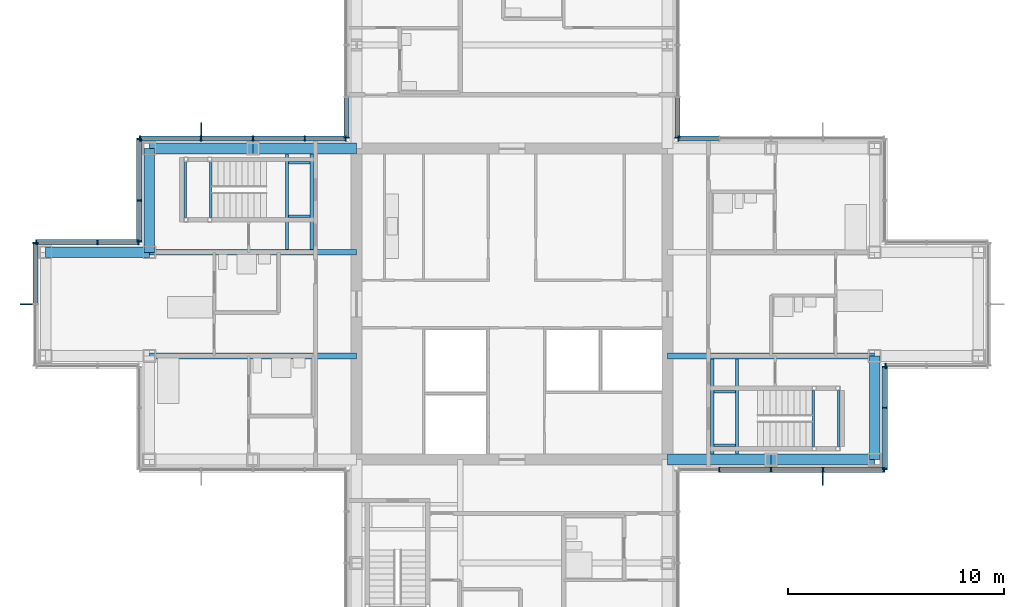
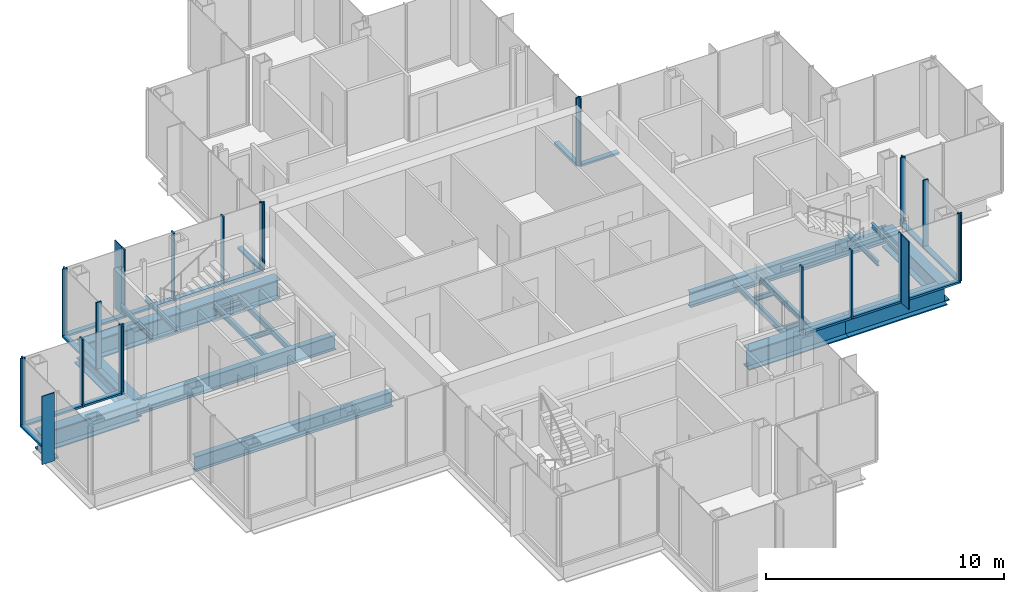
# One storey, part 7 of 17: 43 members, 22 beams, 10 elements without a shape of their own.
"""IFC4 building model written with IfcOpenShell, lengths in metres."""

from ifc_helpers import new_model, si_unit, direction, frame, origin, origin_2d, place, context, subcontext, project, spatial, rectangle, i_section, extrude, material, material_profile, profile_set, type_object, element, aggregate, save


model = new_model("IFC4")

# Units and contexts
model_context = context("Model", 3, precision=1e-05, world=origin(), true_north=direction((0.0, 1.0)))
body_context = subcontext(model_context, "Body", "Model", "MODEL_VIEW")
ifc_project = project(units=[si_unit("LENGTHUNIT", "METRE"), si_unit("AREAUNIT", "SQUARE_METRE"), si_unit("VOLUMEUNIT", "CUBIC_METRE"), si_unit("PLANEANGLEUNIT", "RADIAN"), si_unit("MASSUNIT", "GRAM", prefix="KILO")], contexts=[model_context])

# Site, building, storey
site_placement = place(None, origin())
site = spatial("IfcSite", under=ifc_project, at=site_placement, CompositionType="ELEMENT")
building_placement = place(site_placement, origin())
building = spatial("IfcBuilding", under=site, at=building_placement, Name="Kvirike Care Tower", CompositionType="ELEMENT")
storey_placement = place(building_placement, frame((0.0, 0.0, 165.5)))
storey = spatial("IfcBuildingStorey", under=building, at=storey_placement, Name="L45", CompositionType="ELEMENT", Elevation=165.5)

# Curtain wall, member
ifc_material_1 = material(Name="Anodised aluminium stick system", Category="aluminium")
curtain_wall_type = type_object("IfcCurtainWallType", Name="CW-C STICK CURTAIN WALL", PredefinedType="NOTDEFINED", material=ifc_material_1)
curtain_wall_1_placement = place(storey_placement, origin())
curtain_wall_1 = element("IfcCurtainWall", 1, at=curtain_wall_1_placement, inside=storey, type_object=curtain_wall_type, Name="Curtain wall L45 face 1", PredefinedType="NOTDEFINED")
ifc_material_2 = material(Name="Bronze anodised aluminium fin", Category="aluminium")
ifc_material_profile_1 = material_profile(ifc_material_2, rectangle(XDim=0.050048828125, YDim=0.60009765625, at=origin_2d()), Name="BRONZE FIN 600")
ifc_profile_set_1 = profile_set([ifc_material_profile_1], Name="Bronze anodised aluminium fin")
member_type_1 = type_object("IfcMemberType", Name="BRONZE FIN 600", PredefinedType="USERDEFINED", material=ifc_profile_set_1)
member_1_placement = place(storey_placement, frame((36.0, 27.909912109375, 0.0), z_axis=(0.0, 0.0, 1.0), x_axis=(1.0, 0.0, 0.0)))
member_1 = element("IfcMember", 2, at=member_1_placement, type_object=member_type_1, Name="Bronze fin L45 face 1.4", ObjectType="FIN", PredefinedType="USERDEFINED", context=body_context, shape_type="SweptSolid", body=[
    extrude(rectangle(XDim=0.050048828125, YDim=0.60009765625, at=origin_2d()), origin(), (0.0, 0.0, 1.0), 3.5),
])

curtain_wall_2_placement = place(storey_placement, origin())
curtain_wall_2 = element("IfcCurtainWall", 3, at=curtain_wall_2_placement, inside=storey, type_object=curtain_wall_type, Name="Curtain wall L45 face 15", PredefinedType="NOTDEFINED")
member_2_placement = place(storey_placement, frame((7.199951171875, 44.090087890625, 0.0), z_axis=(0.0, 0.0, 1.0), x_axis=(-1.0, 0.0, 0.0)))
member_2 = element("IfcMember", 4, at=member_2_placement, type_object=member_type_1, Name="Bronze fin L45 face 15.4", ObjectType="FIN", PredefinedType="USERDEFINED", context=body_context, shape_type="SweptSolid", body=[
    extrude(rectangle(XDim=0.050048828125, YDim=0.60009765625, at=origin_2d()), origin(), (0.0, 0.0, 1.0), 3.5),
])

curtain_wall_3_placement = place(storey_placement, origin())
curtain_wall_3 = element("IfcCurtainWall", 5, at=curtain_wall_3_placement, inside=storey, type_object=curtain_wall_type, Name="Curtain wall L45 face 18", PredefinedType="NOTDEFINED")
member_3_placement = place(storey_placement, frame((-0.889892578125, 36.0, 0.0), z_axis=(0.0, 0.0, 1.0), x_axis=(0.0, -1.0, 0.0)))
member_3 = element("IfcMember", 6, at=member_3_placement, type_object=member_type_1, Name="Bronze fin L45 face 18.2", ObjectType="FIN", PredefinedType="USERDEFINED", context=body_context, shape_type="SweptSolid", body=[
    extrude(rectangle(XDim=0.050048828125, YDim=0.60009765625, at=origin_2d()), origin(), (0.0, 0.0, 1.0), 3.5),
])

# Member
ifc_material_3 = material(Name="Bronze anodised aluminium mullion", Category="aluminium")
ifc_material_profile_2 = material_profile(ifc_material_3, rectangle(XDim=0.06494140625, YDim=0.239990234375, at=origin_2d()), Name="CW-C MULLION 65x240")
ifc_profile_set_2 = profile_set([ifc_material_profile_2], Name="Bronze anodised aluminium mullion")
member_type_2 = type_object("IfcMemberType", Name="CW-C MULLION 65x240", PredefinedType="MULLION", material=ifc_profile_set_2)
member_4_placement = place(storey_placement, frame((31.199951171875, 28.330078125, 0.0), z_axis=(0.0, 0.0, 1.0), x_axis=(1.0, 0.0, 0.0)))
member_4 = element("IfcMember", 7, at=member_4_placement, type_object=member_type_2, Name="CW-C mullion L45 face 1.2", PredefinedType="MULLION", context=body_context, shape_type="SweptSolid", body=[
    extrude(rectangle(XDim=0.06494140625, YDim=0.239990234375, at=origin_2d()), origin(), (0.0, 0.0, 1.0), 3.5),
])

member_5_placement = place(storey_placement, frame((33.60009765625, 28.330078125, 0.0), z_axis=(0.0, 0.0, 1.0), x_axis=(1.0, 0.0, 0.0)))
member_5 = element("IfcMember", 8, at=member_5_placement, type_object=member_type_2, Name="CW-C mullion L45 face 1.3", PredefinedType="MULLION", context=body_context, shape_type="SweptSolid", body=[
    extrude(rectangle(XDim=0.06494140625, YDim=0.239990234375, at=origin_2d()), origin(), (0.0, 0.0, 1.0), 3.5),
])

member_6_placement = place(storey_placement, frame((36.0, 28.330078125, 0.0), z_axis=(0.0, 0.0, 1.0), x_axis=(1.0, 0.0, 0.0)))
member_6 = element("IfcMember", 9, at=member_6_placement, type_object=member_type_2, Name="CW-C mullion L45 face 1.4", PredefinedType="MULLION", context=body_context, shape_type="SweptSolid", body=[
    extrude(rectangle(XDim=0.06494140625, YDim=0.239990234375, at=origin_2d()), origin(), (0.0, 0.0, 1.0), 3.5),
])

member_7_placement = place(storey_placement, frame((38.83740234375, 28.330078125, 0.0), z_axis=(0.0, 0.0, 1.0), x_axis=(1.0, 0.0, 0.0)))
member_7 = element("IfcMember", 10, at=member_7_placement, type_object=member_type_2, Name="CW-C mullion L45 face 1.5", PredefinedType="MULLION", context=body_context, shape_type="SweptSolid", body=[
    extrude(rectangle(XDim=0.06494140625, YDim=0.239990234375, at=origin_2d()), origin(), (0.0, 0.0, 1.0), 3.5),
])

# Curtain wall, members
curtain_wall_4_placement = place(storey_placement, origin())
curtain_wall_4 = element("IfcCurtainWall", 11, at=curtain_wall_4_placement, inside=storey, type_object=curtain_wall_type, Name="Curtain wall L45 face 2", PredefinedType="NOTDEFINED")
member_8_placement = place(storey_placement, frame((38.8701171875, 28.362548828125, 0.0), z_axis=(0.0, 0.0, 1.0), x_axis=(0.0, 1.0, 0.0)))
member_8 = element("IfcMember", 12, at=member_8_placement, type_object=member_type_2, Name="CW-C mullion L45 face 2.1", PredefinedType="MULLION", context=body_context, shape_type="SweptSolid", body=[
    extrude(rectangle(XDim=0.06494140625, YDim=0.239990234375, at=origin_2d()), origin(), (0.0, 0.0, 1.0), 3.5),
])
member_9_placement = place(storey_placement, frame((38.8701171875, 31.199951171875, 0.0), z_axis=(0.0, 0.0, 1.0), x_axis=(0.0, 1.0, 0.0)))
member_9 = element("IfcMember", 13, at=member_9_placement, type_object=member_type_2, Name="CW-C mullion L45 face 2.2", PredefinedType="MULLION", context=body_context, shape_type="SweptSolid", body=[
    extrude(rectangle(XDim=0.06494140625, YDim=0.239990234375, at=origin_2d()), origin(), (0.0, 0.0, 1.0), 3.5),
])
member_10_placement = place(storey_placement, frame((38.8701171875, 33.097412109375, 0.0), z_axis=(0.0, 0.0, 1.0), x_axis=(0.0, 1.0, 0.0)))
member_10 = element("IfcMember", 14, at=member_10_placement, type_object=member_type_2, Name="CW-C mullion L45 face 2.3", PredefinedType="MULLION", context=body_context, shape_type="SweptSolid", body=[
    extrude(rectangle(XDim=0.06494140625, YDim=0.239990234375, at=origin_2d()), origin(), (0.0, 0.0, 1.0), 3.5),
])

# Curtain wall, member
curtain_wall_5_placement = place(storey_placement, origin())
curtain_wall_5 = element("IfcCurtainWall", 15, at=curtain_wall_5_placement, inside=storey, type_object=curtain_wall_type, Name="Curtain wall L45 face 3", PredefinedType="NOTDEFINED")
member_11_placement = place(storey_placement, frame((38.902587890625, 33.1298828125, 0.0), z_axis=(0.0, 0.0, 1.0), x_axis=(1.0, 0.0, 0.0)))
member_11 = element("IfcMember", 16, at=member_11_placement, type_object=member_type_2, Name="CW-C mullion L45 face 3.1", PredefinedType="MULLION", context=body_context, shape_type="SweptSolid", body=[
    extrude(rectangle(XDim=0.06494140625, YDim=0.239990234375, at=origin_2d()), origin(), (0.0, 0.0, 1.0), 3.5),
])
aggregate(curtain_wall_5, [member_11])

curtain_wall_6_placement = place(storey_placement, origin())
curtain_wall_6 = element("IfcCurtainWall", 17, at=curtain_wall_6_placement, inside=storey, type_object=curtain_wall_type, Name="Curtain wall L45 face 7", PredefinedType="NOTDEFINED")
member_12_placement = place(storey_placement, frame((29.302490234375, 43.669921875, 0.0), z_axis=(0.0, 0.0, 1.0), x_axis=(-1.0, 0.0, 0.0)))
member_12 = element("IfcMember", 18, at=member_12_placement, type_object=member_type_2, Name="CW-C mullion L45 face 7.5", PredefinedType="MULLION", context=body_context, shape_type="SweptSolid", body=[
    extrude(rectangle(XDim=0.06494140625, YDim=0.239990234375, at=origin_2d()), origin(), (0.0, 0.0, 1.0), 3.5),
])

curtain_wall_7_placement = place(storey_placement, origin())
curtain_wall_7 = element("IfcCurtainWall", 19, at=curtain_wall_7_placement, inside=storey, type_object=curtain_wall_type, Name="Curtain wall L45 face 8", PredefinedType="NOTDEFINED")
member_13_placement = place(storey_placement, frame((29.27001953125, 43.702392578125, 0.0), z_axis=(0.0, 0.0, 1.0), x_axis=(0.0, 1.0, 0.0)))
member_13 = element("IfcMember", 20, at=member_13_placement, type_object=member_type_2, Name="CW-C mullion L45 face 8.1", PredefinedType="MULLION", context=body_context, shape_type="SweptSolid", body=[
    extrude(rectangle(XDim=0.06494140625, YDim=0.239990234375, at=origin_2d()), origin(), (0.0, 0.0, 1.0), 3.5),
])

curtain_wall_8_placement = place(storey_placement, origin())
curtain_wall_8 = element("IfcCurtainWall", 21, at=curtain_wall_8_placement, inside=storey, type_object=curtain_wall_type, Name="Curtain wall L45 face 14", PredefinedType="NOTDEFINED")
member_14_placement = place(storey_placement, frame((13.929931640625, 43.702392578125, 0.0), z_axis=(0.0, 0.0, 1.0), x_axis=(0.0, -1.0, 0.0)))
member_14 = element("IfcMember", 22, at=member_14_placement, type_object=member_type_2, Name="CW-C mullion L45 face 14.5", PredefinedType="MULLION", context=body_context, shape_type="SweptSolid", body=[
    extrude(rectangle(XDim=0.06494140625, YDim=0.239990234375, at=origin_2d()), origin(), (0.0, 0.0, 1.0), 3.5),
])

# Member
member_15_placement = place(storey_placement, frame((13.8974609375, 43.669921875, 0.0), z_axis=(0.0, 0.0, 1.0), x_axis=(-1.0, 0.0, 0.0)))
member_15 = element("IfcMember", 23, at=member_15_placement, type_object=member_type_2, Name="CW-C mullion L45 face 15.1", PredefinedType="MULLION", context=body_context, shape_type="SweptSolid", body=[
    extrude(rectangle(XDim=0.06494140625, YDim=0.239990234375, at=origin_2d()), origin(), (0.0, 0.0, 1.0), 3.5),
])

member_16_placement = place(storey_placement, frame((12.0, 43.669921875, 0.0), z_axis=(0.0, 0.0, 1.0), x_axis=(-1.0, 0.0, 0.0)))
member_16 = element("IfcMember", 24, at=member_16_placement, type_object=member_type_2, Name="CW-C mullion L45 face 15.2", PredefinedType="MULLION", context=body_context, shape_type="SweptSolid", body=[
    extrude(rectangle(XDim=0.06494140625, YDim=0.239990234375, at=origin_2d()), origin(), (0.0, 0.0, 1.0), 3.5),
])

member_17_placement = place(storey_placement, frame((9.60009765625, 43.669921875, 0.0), z_axis=(0.0, 0.0, 1.0), x_axis=(-1.0, 0.0, 0.0)))
member_17 = element("IfcMember", 25, at=member_17_placement, type_object=member_type_2, Name="CW-C mullion L45 face 15.3", PredefinedType="MULLION", context=body_context, shape_type="SweptSolid", body=[
    extrude(rectangle(XDim=0.06494140625, YDim=0.239990234375, at=origin_2d()), origin(), (0.0, 0.0, 1.0), 3.5),
])

member_18_placement = place(storey_placement, frame((7.199951171875, 43.669921875, 0.0), z_axis=(0.0, 0.0, 1.0), x_axis=(-1.0, 0.0, 0.0)))
member_18 = element("IfcMember", 26, at=member_18_placement, type_object=member_type_2, Name="CW-C mullion L45 face 15.4", PredefinedType="MULLION", context=body_context, shape_type="SweptSolid", body=[
    extrude(rectangle(XDim=0.06494140625, YDim=0.239990234375, at=origin_2d()), origin(), (0.0, 0.0, 1.0), 3.5),
])

member_19_placement = place(storey_placement, frame((4.362548828125, 43.669921875, 0.0), z_axis=(0.0, 0.0, 1.0), x_axis=(-1.0, 0.0, 0.0)))
member_19 = element("IfcMember", 27, at=member_19_placement, type_object=member_type_2, Name="CW-C mullion L45 face 15.5", PredefinedType="MULLION", context=body_context, shape_type="SweptSolid", body=[
    extrude(rectangle(XDim=0.06494140625, YDim=0.239990234375, at=origin_2d()), origin(), (0.0, 0.0, 1.0), 3.5),
])

# Curtain wall, members
curtain_wall_9_placement = place(storey_placement, origin())
curtain_wall_9 = element("IfcCurtainWall", 28, at=curtain_wall_9_placement, inside=storey, type_object=curtain_wall_type, Name="Curtain wall L45 face 16", PredefinedType="NOTDEFINED")
member_20_placement = place(storey_placement, frame((4.330078125, 43.637451171875, 0.0), z_axis=(0.0, 0.0, 1.0), x_axis=(0.0, -1.0, 0.0)))
member_20 = element("IfcMember", 29, at=member_20_placement, type_object=member_type_2, Name="CW-C mullion L45 face 16.1", PredefinedType="MULLION", context=body_context, shape_type="SweptSolid", body=[
    extrude(rectangle(XDim=0.06494140625, YDim=0.239990234375, at=origin_2d()), origin(), (0.0, 0.0, 1.0), 3.5),
])
member_21_placement = place(storey_placement, frame((4.330078125, 40.800048828125, 0.0), z_axis=(0.0, 0.0, 1.0), x_axis=(0.0, -1.0, 0.0)))
member_21 = element("IfcMember", 30, at=member_21_placement, type_object=member_type_2, Name="CW-C mullion L45 face 16.2", PredefinedType="MULLION", context=body_context, shape_type="SweptSolid", body=[
    extrude(rectangle(XDim=0.06494140625, YDim=0.239990234375, at=origin_2d()), origin(), (0.0, 0.0, 1.0), 3.5),
])
member_22_placement = place(storey_placement, frame((4.330078125, 38.902587890625, 0.0), z_axis=(0.0, 0.0, 1.0), x_axis=(0.0, -1.0, 0.0)))
member_22 = element("IfcMember", 31, at=member_22_placement, type_object=member_type_2, Name="CW-C mullion L45 face 16.3", PredefinedType="MULLION", context=body_context, shape_type="SweptSolid", body=[
    extrude(rectangle(XDim=0.06494140625, YDim=0.239990234375, at=origin_2d()), origin(), (0.0, 0.0, 1.0), 3.5),
])

curtain_wall_10_placement = place(storey_placement, origin())
curtain_wall_10 = element("IfcCurtainWall", 32, at=curtain_wall_10_placement, inside=storey, type_object=curtain_wall_type, Name="Curtain wall L45 face 17", PredefinedType="NOTDEFINED")
member_23_placement = place(storey_placement, frame((4.297607421875, 38.8701171875, 0.0), z_axis=(0.0, 0.0, 1.0), x_axis=(-1.0, 0.0, 0.0)))
member_23 = element("IfcMember", 33, at=member_23_placement, type_object=member_type_2, Name="CW-C mullion L45 face 17.1", PredefinedType="MULLION", context=body_context, shape_type="SweptSolid", body=[
    extrude(rectangle(XDim=0.06494140625, YDim=0.239990234375, at=origin_2d()), origin(), (0.0, 0.0, 1.0), 3.5),
])
member_24_placement = place(storey_placement, frame((2.39990234375, 38.8701171875, 0.0), z_axis=(0.0, 0.0, 1.0), x_axis=(-1.0, 0.0, 0.0)))
member_24 = element("IfcMember", 34, at=member_24_placement, type_object=member_type_2, Name="CW-C mullion L45 face 17.2", PredefinedType="MULLION", context=body_context, shape_type="SweptSolid", body=[
    extrude(rectangle(XDim=0.06494140625, YDim=0.239990234375, at=origin_2d()), origin(), (0.0, 0.0, 1.0), 3.5),
])
member_25_placement = place(storey_placement, frame((-0.4375, 38.8701171875, 0.0), z_axis=(0.0, 0.0, 1.0), x_axis=(-1.0, 0.0, 0.0)))
member_25 = element("IfcMember", 35, at=member_25_placement, type_object=member_type_2, Name="CW-C mullion L45 face 17.3", PredefinedType="MULLION", context=body_context, shape_type="SweptSolid", body=[
    extrude(rectangle(XDim=0.06494140625, YDim=0.239990234375, at=origin_2d()), origin(), (0.0, 0.0, 1.0), 3.5),
])

# Member
member_26_placement = place(storey_placement, frame((-0.469970703125, 38.83740234375, 0.0), z_axis=(0.0, 0.0, 1.0), x_axis=(0.0, -1.0, 0.0)))
member_26 = element("IfcMember", 36, at=member_26_placement, type_object=member_type_2, Name="CW-C mullion L45 face 18.1", PredefinedType="MULLION", context=body_context, shape_type="SweptSolid", body=[
    extrude(rectangle(XDim=0.06494140625, YDim=0.239990234375, at=origin_2d()), origin(), (0.0, 0.0, 1.0), 3.5),
])

ifc_material_4 = material(Name="Bronze anodised aluminium transom", Category="aluminium")
ifc_material_profile_3 = material_profile(ifc_material_4, rectangle(XDim=0.239990234375, YDim=0.10009765625, at=origin_2d()), Name="CW-C TRANSOM 240x100")
ifc_profile_set_3 = profile_set([ifc_material_profile_3], Name="Bronze anodised aluminium transom")
member_type_3 = type_object("IfcMemberType", Name="CW-C TRANSOM 240x100", PredefinedType="USERDEFINED", material=ifc_profile_set_3)
member_27_placement = place(storey_placement, frame((31.232421875, 28.330078125, 0.050048828125), z_axis=(1.0, 0.0, 0.0), x_axis=(0.0, 1.0, 0.0)))
member_27 = element("IfcMember", 37, at=member_27_placement, type_object=member_type_3, Name="CW-C sill transom L45 face 1.2", ObjectType="TRANSOM", PredefinedType="USERDEFINED", context=body_context, shape_type="SweptSolid", body=[
    extrude(rectangle(XDim=0.239990234375, YDim=0.10009765625, at=origin_2d()), origin(), (0.0, 0.0, 1.0), 2.3349609375),
])

member_28_placement = place(storey_placement, frame((33.632568359375, 28.330078125, 0.050048828125), z_axis=(1.0, 0.0, 0.0), x_axis=(0.0, 1.0, 0.0)))
member_28 = element("IfcMember", 38, at=member_28_placement, type_object=member_type_3, Name="CW-C sill transom L45 face 1.3", ObjectType="TRANSOM", PredefinedType="USERDEFINED", context=body_context, shape_type="SweptSolid", body=[
    extrude(rectangle(XDim=0.239990234375, YDim=0.10009765625, at=origin_2d()), origin(), (0.0, 0.0, 1.0), 2.3349609375),
])

member_29_placement = place(storey_placement, frame((36.032470703125, 28.330078125, 0.050048828125), z_axis=(1.0, 0.0, 0.0), x_axis=(0.0, 1.0, 0.0)))
member_29 = element("IfcMember", 39, at=member_29_placement, type_object=member_type_3, Name="CW-C sill transom L45 face 1.4", ObjectType="TRANSOM", PredefinedType="USERDEFINED", context=body_context, shape_type="SweptSolid", body=[
    extrude(rectangle(XDim=0.239990234375, YDim=0.10009765625, at=origin_2d()), origin(), (0.0, 0.0, 1.0), 2.7724609375),
])

aggregate(curtain_wall_1, [member_4, member_5, member_6, member_1, member_7, member_27, member_28, member_29])

member_30_placement = place(storey_placement, frame((38.8701171875, 28.39501953125, 0.050048828125), z_axis=(0.0, 1.0, 0.0), x_axis=(-1.0, 0.0, 0.0)))
member_30 = element("IfcMember", 40, at=member_30_placement, type_object=member_type_3, Name="CW-C sill transom L45 face 2.1", ObjectType="TRANSOM", PredefinedType="USERDEFINED", context=body_context, shape_type="SweptSolid", body=[
    extrude(rectangle(XDim=0.239990234375, YDim=0.10009765625, at=origin_2d()), origin(), (0.0, 0.0, 1.0), 2.7724609375),
])

member_31_placement = place(storey_placement, frame((38.8701171875, 31.232421875, 0.050048828125), z_axis=(0.0, 1.0, 0.0), x_axis=(-1.0, 0.0, 0.0)))
member_31 = element("IfcMember", 41, at=member_31_placement, type_object=member_type_3, Name="CW-C sill transom L45 face 2.2", ObjectType="TRANSOM", PredefinedType="USERDEFINED", context=body_context, shape_type="SweptSolid", body=[
    extrude(rectangle(XDim=0.239990234375, YDim=0.10009765625, at=origin_2d()), origin(), (0.0, 0.0, 1.0), 1.83251953125),
])

aggregate(curtain_wall_4, [member_8, member_9, member_10, member_30, member_31])

member_32_placement = place(storey_placement, frame((31.16748046875, 43.669921875, 0.050048828125), z_axis=(-1.0, 0.0, 0.0), x_axis=(0.0, -1.0, 0.0)))
member_32 = element("IfcMember", 42, at=member_32_placement, type_object=member_type_3, Name="CW-C sill transom L45 face 7.4", ObjectType="TRANSOM", PredefinedType="USERDEFINED", context=body_context, shape_type="SweptSolid", body=[
    extrude(rectangle(XDim=0.239990234375, YDim=0.10009765625, at=origin_2d()), origin(), (0.0, 0.0, 1.0), 1.83251953125),
])

aggregate(curtain_wall_6, [member_12, member_32])

member_33_placement = place(storey_placement, frame((29.27001953125, 43.735107421875, 0.050048828125), z_axis=(0.0, 1.0, 0.0), x_axis=(-1.0, 0.0, 0.0)))
member_33 = element("IfcMember", 43, at=member_33_placement, type_object=member_type_3, Name="CW-C sill transom L45 face 8.1", ObjectType="TRANSOM", PredefinedType="USERDEFINED", context=body_context, shape_type="SweptSolid", body=[
    extrude(rectangle(XDim=0.239990234375, YDim=0.10009765625, at=origin_2d()), origin(), (0.0, 0.0, 1.0), 1.832275390625),
])

aggregate(curtain_wall_7, [member_13, member_33])

member_34_placement = place(storey_placement, frame((13.929931640625, 45.5673828125, 0.050048828125), z_axis=(0.0, -1.0, 0.0), x_axis=(1.0, 0.0, 0.0)))
member_34 = element("IfcMember", 44, at=member_34_placement, type_object=member_type_3, Name="CW-C sill transom L45 face 14.4", ObjectType="TRANSOM", PredefinedType="USERDEFINED", context=body_context, shape_type="SweptSolid", body=[
    extrude(rectangle(XDim=0.239990234375, YDim=0.10009765625, at=origin_2d()), origin(), (0.0, 0.0, 1.0), 1.832275390625),
])

aggregate(curtain_wall_8, [member_14, member_34])

member_35_placement = place(storey_placement, frame((13.864990234375, 43.669921875, 0.050048828125), z_axis=(-1.0, 0.0, 0.0), x_axis=(0.0, -1.0, 0.0)))
member_35 = element("IfcMember", 45, at=member_35_placement, type_object=member_type_3, Name="CW-C sill transom L45 face 15.1", ObjectType="TRANSOM", PredefinedType="USERDEFINED", context=body_context, shape_type="SweptSolid", body=[
    extrude(rectangle(XDim=0.239990234375, YDim=0.10009765625, at=origin_2d()), origin(), (0.0, 0.0, 1.0), 1.83251953125),
])

member_36_placement = place(storey_placement, frame((11.967529296875, 43.669921875, 0.050048828125), z_axis=(-1.0, 0.0, 0.0), x_axis=(0.0, -1.0, 0.0)))
member_36 = element("IfcMember", 46, at=member_36_placement, type_object=member_type_3, Name="CW-C sill transom L45 face 15.2", ObjectType="TRANSOM", PredefinedType="USERDEFINED", context=body_context, shape_type="SweptSolid", body=[
    extrude(rectangle(XDim=0.239990234375, YDim=0.10009765625, at=origin_2d()), origin(), (0.0, 0.0, 1.0), 2.3349609375),
])

member_37_placement = place(storey_placement, frame((9.5673828125, 43.669921875, 0.050048828125), z_axis=(-1.0, 0.0, 0.0), x_axis=(0.0, -1.0, 0.0)))
member_37 = element("IfcMember", 47, at=member_37_placement, type_object=member_type_3, Name="CW-C sill transom L45 face 15.3", ObjectType="TRANSOM", PredefinedType="USERDEFINED", context=body_context, shape_type="SweptSolid", body=[
    extrude(rectangle(XDim=0.239990234375, YDim=0.10009765625, at=origin_2d()), origin(), (0.0, 0.0, 1.0), 2.3349609375),
])

member_38_placement = place(storey_placement, frame((7.16748046875, 43.669921875, 0.050048828125), z_axis=(-1.0, 0.0, 0.0), x_axis=(0.0, -1.0, 0.0)))
member_38 = element("IfcMember", 48, at=member_38_placement, type_object=member_type_3, Name="CW-C sill transom L45 face 15.4", ObjectType="TRANSOM", PredefinedType="USERDEFINED", context=body_context, shape_type="SweptSolid", body=[
    extrude(rectangle(XDim=0.239990234375, YDim=0.10009765625, at=origin_2d()), origin(), (0.0, 0.0, 1.0), 2.7724609375),
])

aggregate(curtain_wall_2, [member_15, member_16, member_17, member_18, member_2, member_19, member_35, member_36, member_37, member_38])

member_39_placement = place(storey_placement, frame((4.330078125, 43.60498046875, 0.050048828125), z_axis=(0.0, -1.0, 0.0), x_axis=(1.0, 0.0, 0.0)))
member_39 = element("IfcMember", 49, at=member_39_placement, type_object=member_type_3, Name="CW-C sill transom L45 face 16.1", ObjectType="TRANSOM", PredefinedType="USERDEFINED", context=body_context, shape_type="SweptSolid", body=[
    extrude(rectangle(XDim=0.239990234375, YDim=0.10009765625, at=origin_2d()), origin(), (0.0, 0.0, 1.0), 2.7724609375),
])

member_40_placement = place(storey_placement, frame((4.330078125, 40.767578125, 0.050048828125), z_axis=(0.0, -1.0, 0.0), x_axis=(1.0, 0.0, 0.0)))
member_40 = element("IfcMember", 50, at=member_40_placement, type_object=member_type_3, Name="CW-C sill transom L45 face 16.2", ObjectType="TRANSOM", PredefinedType="USERDEFINED", context=body_context, shape_type="SweptSolid", body=[
    extrude(rectangle(XDim=0.239990234375, YDim=0.10009765625, at=origin_2d()), origin(), (0.0, 0.0, 1.0), 1.83251953125),
])

aggregate(curtain_wall_9, [member_20, member_21, member_22, member_39, member_40])

member_41_placement = place(storey_placement, frame((4.264892578125, 38.8701171875, 0.050048828125), z_axis=(-1.0, 0.0, 0.0), x_axis=(0.0, -1.0, 0.0)))
member_41 = element("IfcMember", 51, at=member_41_placement, type_object=member_type_3, Name="CW-C sill transom L45 face 17.1", ObjectType="TRANSOM", PredefinedType="USERDEFINED", context=body_context, shape_type="SweptSolid", body=[
    extrude(rectangle(XDim=0.239990234375, YDim=0.10009765625, at=origin_2d()), origin(), (0.0, 0.0, 1.0), 1.832275390625),
])

member_42_placement = place(storey_placement, frame((2.367431640625, 38.8701171875, 0.050048828125), z_axis=(-1.0, 0.0, 0.0), x_axis=(0.0, -1.0, 0.0)))
member_42 = element("IfcMember", 52, at=member_42_placement, type_object=member_type_3, Name="CW-C sill transom L45 face 17.2", ObjectType="TRANSOM", PredefinedType="USERDEFINED", context=body_context, shape_type="SweptSolid", body=[
    extrude(rectangle(XDim=0.239990234375, YDim=0.10009765625, at=origin_2d()), origin(), (0.0, 0.0, 1.0), 2.7724609375),
])

aggregate(curtain_wall_10, [member_23, member_24, member_25, member_41, member_42])

member_43_placement = place(storey_placement, frame((-0.469970703125, 38.804931640625, 0.050048828125), z_axis=(0.0, -1.0, 0.0), x_axis=(1.0, 0.0, 0.0)))
member_43 = element("IfcMember", 53, at=member_43_placement, type_object=member_type_3, Name="CW-C sill transom L45 face 18.1", ObjectType="TRANSOM", PredefinedType="USERDEFINED", context=body_context, shape_type="SweptSolid", body=[
    extrude(rectangle(XDim=0.239990234375, YDim=0.10009765625, at=origin_2d()), origin(), (0.0, 0.0, 1.0), 2.7724609375),
])

aggregate(curtain_wall_3, [member_26, member_3, member_43])

# Beams
ifc_material_5 = material(Name="Steel S355", Category="steel")
ifc_material_profile_4 = material_profile(ifc_material_5, i_section(OverallWidth=0.26806640625, OverallDepth=0.77001953125, WebThickness=0.015625, FlangeThickness=0.025390625, FilletRadius=0.01708984375, at=origin_2d()), Name="IPE 750x196")
ifc_profile_set_4 = profile_set([ifc_material_profile_4], Name="Steel S355")
beam_type_1 = type_object("IfcBeamType", Name="FLOOR BEAM IPE 750x196", PredefinedType="BEAM", material=ifc_profile_set_4)
for number, where, z_axis, x_axis, name in (
    (54, (4.800048828125, 33.60009765625, -0.554931640625), (1.0, 0.0, 0.0), (0.0, 1.0, 0.0), "Floor Beam H4-H6 L45"),
    (55, (28.800048828125, 33.60009765625, -0.554931640625), (1.0, 0.0, 0.0), (0.0, 1.0, 0.0), "Floor Beam H9-H11 L45"),
    (56, (4.800048828125, 38.39990234375, -0.554931640625), (1.0, 0.0, 0.0), (0.0, 1.0, 0.0), "Floor Beam J4-J6 L45"),
):
    element("IfcBeam", number, at=place(storey_placement, frame(where, z_axis=z_axis, x_axis=x_axis)), inside=storey, type_object=beam_type_1, Name=name, PredefinedType="BEAM", context=body_context, shape_type="SweptSolid", body=[
        extrude(i_section(OverallWidth=0.26806640625, OverallDepth=0.77001953125, WebThickness=0.015625, FlangeThickness=0.025390625, FilletRadius=0.01708984375, at=origin_2d()), origin(), (0.0, 0.0, 1.0), 9.599853515625),
    ])
ifc_material_6 = material(Name="Steel S355", Category="steel")
ifc_material_profile_5 = material_profile(ifc_material_6, i_section(OverallWidth=0.5, OverallDepth=1.0, WebThickness=0.030029296875, FlangeThickness=0.06005859375, at=origin_2d()), Name="PG 1000x500x30x60")
ifc_profile_set_5 = profile_set([ifc_material_profile_5], Name="Steel S355")
beam_type_2 = type_object("IfcBeamType", Name="SPANDREL PG 1000x500x30x60", PredefinedType="SPANDREL", material=ifc_profile_set_5)
beam_1_placement = place(storey_placement, frame((28.800048828125, 28.800048828125, -0.669921875), z_axis=(1.0, 0.0, 0.0), x_axis=(0.0, 1.0, 0.0)))
element("IfcBeam", 57, at=beam_1_placement, inside=storey, type_object=beam_type_2, Name="Spandrel G9-G10 L45", PredefinedType="SPANDREL", context=body_context, shape_type="SweptSolid", body=[
    extrude(i_section(OverallWidth=0.5, OverallDepth=1.0, WebThickness=0.030029296875, FlangeThickness=0.06005859375, at=origin_2d()), origin(), (0.0, 0.0, 1.0), 4.800048828125),
])
beam_2_placement = place(storey_placement, frame((33.60009765625, 28.800048828125, -0.669921875), z_axis=(1.0, 0.0, 0.0), x_axis=(0.0, 1.0, 0.0)))
element("IfcBeam", 58, at=beam_2_placement, inside=storey, type_object=beam_type_2, Name="Spandrel G10-G11 L45", PredefinedType="SPANDREL", context=body_context, shape_type="SweptSolid", body=[
    extrude(i_section(OverallWidth=0.5, OverallDepth=1.0, WebThickness=0.030029296875, FlangeThickness=0.06005859375, at=origin_2d()), origin(), (0.0, 0.0, 1.0), 4.7998046875),
])
for number, where, z_axis, x_axis, name in (
    (59, (0.0, 38.39990234375, -0.669921875), (1.0, 0.0, 0.0), (0.0, 1.0, 0.0), "Spandrel J3-J4 L45"),
    (60, (4.800048828125, 43.199951171875, -0.669921875), (1.0, 0.0, 0.0), (0.0, 1.0, 0.0), "Spandrel K4-K5 L45"),
):
    element("IfcBeam", number, at=place(storey_placement, frame(where, z_axis=z_axis, x_axis=x_axis)), inside=storey, type_object=beam_type_2, Name=name, PredefinedType="SPANDREL", context=body_context, shape_type="SweptSolid", body=[
        extrude(i_section(OverallWidth=0.5, OverallDepth=1.0, WebThickness=0.030029296875, FlangeThickness=0.06005859375, at=origin_2d()), origin(), (0.0, 0.0, 1.0), 4.800048828125),
    ])
beam_3_placement = place(storey_placement, frame((9.60009765625, 43.199951171875, -0.669921875), z_axis=(1.0, 0.0, 0.0), x_axis=(0.0, 1.0, 0.0)))
element("IfcBeam", 61, at=beam_3_placement, inside=storey, type_object=beam_type_2, Name="Spandrel K5-K6 L45", PredefinedType="SPANDREL", context=body_context, shape_type="SweptSolid", body=[
    extrude(i_section(OverallWidth=0.5, OverallDepth=1.0, WebThickness=0.030029296875, FlangeThickness=0.06005859375, at=origin_2d()), origin(), (0.0, 0.0, 1.0), 4.7998046875),
])
for number, where, z_axis, x_axis, name in (
    (62, (4.800048828125, 38.39990234375, -0.669921875), (0.0, 1.0, 0.0), (-1.0, 0.0, 0.0), "Spandrel J4-K4 L45"),
    (63, (38.39990234375, 28.800048828125, -0.669921875), (0.0, 1.0, 0.0), (-1.0, 0.0, 0.0), "Spandrel G11-H11 L45"),
):
    element("IfcBeam", number, at=place(storey_placement, frame(where, z_axis=z_axis, x_axis=x_axis)), inside=storey, type_object=beam_type_2, Name=name, PredefinedType="SPANDREL", context=body_context, shape_type="SweptSolid", body=[
        extrude(i_section(OverallWidth=0.5, OverallDepth=1.0, WebThickness=0.030029296875, FlangeThickness=0.06005859375, at=origin_2d()), origin(), (0.0, 0.0, 1.0), 4.800048828125),
    ])
ifc_material_7 = material(Name="Steel S355", Category="steel")
ifc_material_profile_6 = material_profile(ifc_material_7, i_section(OverallWidth=0.1201171875, OverallDepth=0.239990234375, WebThickness=0.006103515625, FlangeThickness=0.009765625, FilletRadius=0.014892578125, at=origin_2d()), Name="IPE 240")
ifc_profile_set_6 = profile_set([ifc_material_profile_6], Name="Steel S355")
beam_type_3 = type_object("IfcBeamType", Name="STAIR LANDING BEAM IPE 240", PredefinedType="BEAM", material=ifc_profile_set_6)
for number, where, z_axis, x_axis, name in (
    (64, (6.4599609375, 42.60009765625, 1.429931640625), (0.0, -1.0, 0.0), (1.0, 0.0, 0.0), "Stair 1 landing beam back L45"),
    (65, (7.639892578125, 42.60009765625, 1.429931640625), (0.0, -1.0, 0.0), (1.0, 0.0, 0.0), "Stair 1 landing beam front L45"),
):
    element("IfcBeam", number, at=place(storey_placement, frame(where, z_axis=z_axis, x_axis=x_axis)), inside=storey, type_object=beam_type_3, Name=name, PredefinedType="BEAM", context=body_context, shape_type="SweptSolid", body=[
        extrude(i_section(OverallWidth=0.1201171875, OverallDepth=0.239990234375, WebThickness=0.006103515625, FlangeThickness=0.009765625, FilletRadius=0.014892578125, at=origin_2d()), origin(), (0.0, 0.0, 1.0), 2.60009765625),
    ])
for number, where, z_axis, x_axis, name in (
    (66, (11.25, 42.5400390625, -0.320068359375), (1.0, 0.0, 0.0), (0.0, 1.0, 0.0), "Stair 1 landing edge beam 1 L45"),
    (67, (11.25, 40.06005859375, -0.320068359375), (1.0, 0.0, 0.0), (0.0, 1.0, 0.0), "Stair 1 landing edge beam 2 L45"),
):
    element("IfcBeam", number, at=place(storey_placement, frame(where, z_axis=z_axis, x_axis=x_axis)), inside=storey, type_object=beam_type_3, Name=name, PredefinedType="BEAM", context=body_context, shape_type="SweptSolid", body=[
        extrude(i_section(OverallWidth=0.1201171875, OverallDepth=0.239990234375, WebThickness=0.006103515625, FlangeThickness=0.009765625, FilletRadius=0.014892578125, at=origin_2d()), origin(), (0.0, 0.0, 1.0), 1.0),
    ])
for number, where, z_axis, x_axis, name in (
    (68, (36.739990234375, 29.39990234375, 1.429931640625), (0.0, 1.0, 0.0), (-1.0, 0.0, 0.0), "Stair 2 landing beam back L45"),
    (69, (35.56005859375, 29.39990234375, 1.429931640625), (0.0, 1.0, 0.0), (-1.0, 0.0, 0.0), "Stair 2 landing beam front L45"),
):
    element("IfcBeam", number, at=place(storey_placement, frame(where, z_axis=z_axis, x_axis=x_axis)), inside=storey, type_object=beam_type_3, Name=name, PredefinedType="BEAM", context=body_context, shape_type="SweptSolid", body=[
        extrude(i_section(OverallWidth=0.1201171875, OverallDepth=0.239990234375, WebThickness=0.006103515625, FlangeThickness=0.009765625, FilletRadius=0.014892578125, at=origin_2d()), origin(), (0.0, 0.0, 1.0), 2.60009765625),
    ])
for number, where, z_axis, x_axis, name in (
    (70, (31.949951171875, 29.4599609375, -0.320068359375), (-1.0, 0.0, 0.0), (0.0, -1.0, 0.0), "Stair 2 landing edge beam 1 L45"),
    (71, (31.949951171875, 31.93994140625, -0.320068359375), (-1.0, 0.0, 0.0), (0.0, -1.0, 0.0), "Stair 2 landing edge beam 2 L45"),
):
    element("IfcBeam", number, at=place(storey_placement, frame(where, z_axis=z_axis, x_axis=x_axis)), inside=storey, type_object=beam_type_3, Name=name, PredefinedType="BEAM", context=body_context, shape_type="SweptSolid", body=[
        extrude(i_section(OverallWidth=0.1201171875, OverallDepth=0.239990234375, WebThickness=0.006103515625, FlangeThickness=0.009765625, FilletRadius=0.014892578125, at=origin_2d()), origin(), (0.0, 0.0, 1.0), 1.0),
    ])
ifc_material_8 = material(Name="Steel S355", Category="steel")
ifc_material_profile_7 = material_profile(ifc_material_8, i_section(OverallWidth=0.14990234375, OverallDepth=0.300048828125, WebThickness=0.007080078125, FlangeThickness=0.0107421875, FilletRadius=0.014892578125, at=origin_2d()), Name="IPE 300")
ifc_profile_set_7 = profile_set([ifc_material_profile_7], Name="Steel S355")
beam_type_4 = type_object("IfcBeamType", Name="STAIR TRIMMER IPE 300", PredefinedType="BEAM", material=ifc_profile_set_7)
for number, where, z_axis, x_axis, name in (
    (72, (11.175048828125, 42.949951171875, -0.35009765625), (0.0, -1.0, 0.0), (1.0, 0.0, 0.0), "Stair 1 trimmer 1 L45"),
    (73, (12.324951171875, 42.949951171875, -0.35009765625), (0.0, -1.0, 0.0), (1.0, 0.0, 0.0), "Stair 1 trimmer 2 L45"),
    (74, (32.02490234375, 29.050048828125, -0.35009765625), (0.0, 1.0, 0.0), (-1.0, 0.0, 0.0), "Stair 2 trimmer 1 L45"),
    (75, (30.875, 29.050048828125, -0.35009765625), (0.0, 1.0, 0.0), (-1.0, 0.0, 0.0), "Stair 2 trimmer 2 L45"),
):
    element("IfcBeam", number, at=place(storey_placement, frame(where, z_axis=z_axis, x_axis=x_axis)), inside=storey, type_object=beam_type_4, Name=name, PredefinedType="BEAM", context=body_context, shape_type="SweptSolid", body=[
        extrude(i_section(OverallWidth=0.14990234375, OverallDepth=0.300048828125, WebThickness=0.007080078125, FlangeThickness=0.0107421875, FilletRadius=0.014892578125, at=origin_2d()), origin(), (0.0, 0.0, 1.0), 4.416015625),
    ])

save(model, "model.ifc")
